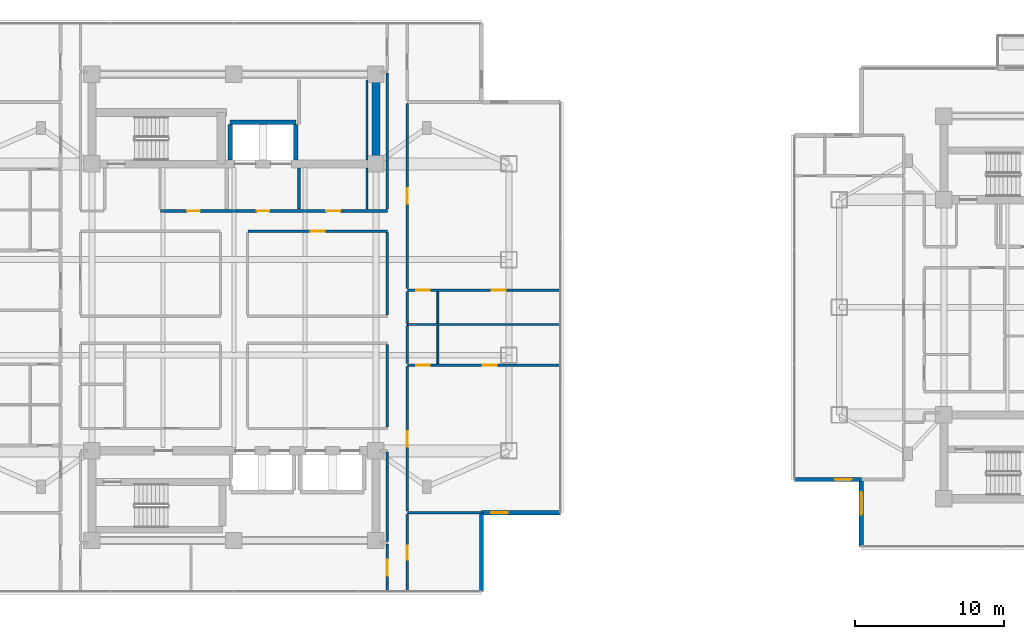
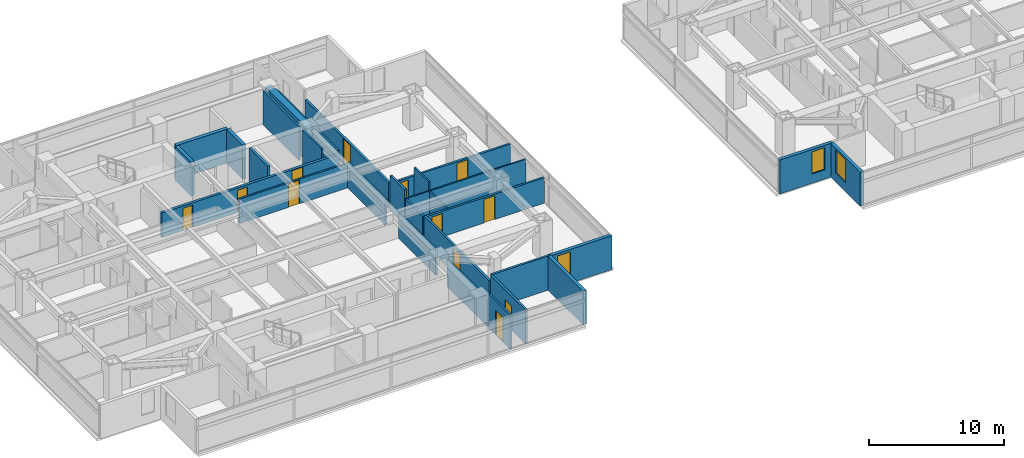
# One storey, part 15 of 24: 29 walls, 12 doors, 3 windows, 15 openings.
"""IFC4 building model written with IfcOpenShell, lengths in metres."""

from ifc_helpers import new_model, si_unit, direction, frame, frame_2d, origin, place, context, subcontext, project, spatial, rectangle, extrude, material, layer, layer_set, type_object, element, fill, save


model = new_model("IFC4")

# Units and contexts
model_context = context("Model", 3, precision=1e-05, world=origin(), true_north=direction((0.0, 1.0)))
body_context = subcontext(model_context, "Body", "Model", "MODEL_VIEW")
ifc_project = project(units=[si_unit("LENGTHUNIT", "METRE"), si_unit("AREAUNIT", "SQUARE_METRE"), si_unit("VOLUMEUNIT", "CUBIC_METRE"), si_unit("PLANEANGLEUNIT", "RADIAN"), si_unit("MASSUNIT", "GRAM", prefix="KILO")], contexts=[model_context])

# Site, building, storey
site_placement = place(None, origin())
site = spatial("IfcSite", under=ifc_project, at=site_placement, CompositionType="ELEMENT")
building_placement = place(site_placement, origin())
building = spatial("IfcBuilding", under=site, at=building_placement, Name="Mirazonda Arch Towers", CompositionType="ELEMENT")
storey_placement = place(building_placement, frame((0.0, 0.0, 141.199951171875)))
storey = spatial("IfcBuildingStorey", under=building, at=storey_placement, Name="L40", CompositionType="ELEMENT", Elevation=141.199951171875)

# Wall
ifc_material_1 = material(Name="Concrete C50/60", Category="concrete")
ifc_layer_1 = layer(ifc_material_1, 0.550048828125, Name="WALL-CORE-550")
ifc_layer_set_1 = layer_set([ifc_layer_1], Name="Concrete C50/60")
wall_type_1 = type_object("IfcWallType", Name="WALL-CORE-550", PredefinedType="SHEAR", material=ifc_layer_set_1)
wall_1_placement = place(storey_placement, frame((30.0, 37.60009765625, 0.0), z_axis=(0.0, 0.0, 1.0), x_axis=(0.0, 1.0, 0.0)))
element("IfcWall", 1, at=wall_1_placement, inside=storey, type_object=wall_type_1, Name="L40 T1N-E Core Shear Wall", PredefinedType="SHEAR", context=body_context, shape_type="SweptSolid", body=[
    extrude(rectangle(XDim=6.0, YDim=0.550048828125, at=frame_2d((3.0, 0.0))), origin(), (0.0, 0.0, 1.0), 3.080078125),
])

# Wall, opening, window
ifc_material_2 = material(Name="Precast Concrete C40/50", Category="concrete")
ifc_layer_2 = layer(ifc_material_2, 0.280029296875, Name="WALL-EXT-WALL-280")
ifc_layer_set_2 = layer_set([ifc_layer_2], Name="Precast Concrete C40/50")
wall_type_2 = type_object("IfcWallType", Name="WALL-EXT-WALL-280", PredefinedType="SOLIDWALL", material=ifc_layer_set_2)
wall_2_placement = place(storey_placement, frame((37.070068359375, 14.263916015625, 0.0), z_axis=(0.0, 0.0, 1.0), x_axis=(1.0, 0.0, 0.0)))
wall_2 = element("IfcWall", 2, at=wall_2_placement, inside=storey, type_object=wall_type_2, Name="L40 T1 Corner Notch Return Wall WL-L40-T1-CSE1", PredefinedType="SOLIDWALL", context=body_context, shape_type="SweptSolid", body=[
    extrude(rectangle(XDim=5.27001953125, YDim=0.280029296875, at=frame_2d((2.635009765625, 0.0))), origin(), (0.0, 0.0, 1.0), 3.06005859375),
])
opening_1_placement = place(wall_2_placement, frame((0.64990234375, 0.0, 0.85009765625)))
opening_1 = element("IfcOpeningElement", 3, at=opening_1_placement, cuts=wall_2, Name="Opening WN-108", PredefinedType="OPENING", context=body_context, shape_type="SweptSolid", body=[
    extrude(rectangle(XDim=1.10009765625, YDim=2.0, at=frame_2d((0.550048828125, 1.0))), frame((0.0, 0.14990234375, 0.0), z_axis=(0.0, -1.0, 0.0), x_axis=(1.0, 0.0, 0.0)), (0.0, 0.0, 1.0), 0.300048828125),
])
ifc_material_3 = material(Name="Insulated Low-E Solar Glass", Category="glass")
window_type_1 = type_object("IfcWindowType", Name="WIN-NOTCH-1100x2000", PartitioningType="SINGLE_PANEL", PredefinedType="WINDOW", material=ifc_material_3)
window_1_placement = place(opening_1_placement, origin())
window_1 = element("IfcWindow", 4, at=window_1_placement, inside=storey, type_object=window_type_1, Name="L40 Punched Facade Window WN-L40-T1-CSE1", OverallHeight=2.0, OverallWidth=1.10009765625, PartitioningType="SINGLE_PANEL", PredefinedType="WINDOW", context=body_context, shape_type="SweptSolid", body=[
    extrude(rectangle(XDim=1.10009765625, YDim=2.0, at=frame_2d((0.550048828125, 1.0))), frame((0.0, 0.030029296875, 0.0), z_axis=(0.0, -1.0, 0.0), x_axis=(1.0, 0.0, 0.0)), (0.0, 0.0, 1.0), 0.06005859375),
])
fill(opening_1, window_1)

# Wall
wall_3_placement = place(storey_placement, frame((37.070068359375, 8.993896484375, 0.0), z_axis=(0.0, 0.0, 1.0), x_axis=(0.0, 1.0, 0.0)))
element("IfcWall", 5, at=wall_3_placement, inside=storey, type_object=wall_type_2, Name="L40 T1 Corner Notch Return Wall WL-L40-T1-CSE2", PredefinedType="SOLIDWALL", context=body_context, shape_type="SweptSolid", body=[
    extrude(rectangle(XDim=5.27001953125, YDim=0.280029296875, at=frame_2d((2.635009765625, 0.0))), origin(), (0.0, 0.0, 1.0), 3.06005859375),
])

# Wall, opening, window
wall_4_placement = place(storey_placement, frame((62.4755859375, 16.484375, 0.0), z_axis=(0.0, 0.0, 1.0), x_axis=(0.0, -1.0, 0.0)))
wall_4 = element("IfcWall", 6, at=wall_4_placement, inside=storey, type_object=wall_type_2, Name="L40 T2 Notched SW Corner Wall WL-L40-T2-CSW", PredefinedType="SOLIDWALL", context=body_context, shape_type="SweptSolid", body=[
    extrude(rectangle(XDim=4.486572265625, YDim=0.280029296875, at=frame_2d((2.2431640625, 0.0))), origin(), (0.0, 0.0, 1.0), 3.06005859375),
])
opening_2_placement = place(wall_4_placement, frame((0.85009765625, 0.0, 0.81005859375)))
opening_2 = element("IfcOpeningElement", 7, at=opening_2_placement, cuts=wall_4, Name="Opening WN-120", PredefinedType="OPENING", context=body_context, shape_type="SweptSolid", body=[
    extrude(rectangle(XDim=1.5, YDim=2.10009765625, at=frame_2d((0.75, 1.050048828125))), frame((0.0, 0.14990234375, 0.0), z_axis=(0.0, -1.0, 0.0), x_axis=(1.0, 0.0, 0.0)), (0.0, 0.0, 1.0), 0.300048828125),
])
window_type_2 = type_object("IfcWindowType", Name="WIN-HTL-1500x2100", PartitioningType="SINGLE_PANEL", PredefinedType="WINDOW", material=ifc_material_3)
window_2_placement = place(opening_2_placement, origin())
window_2 = element("IfcWindow", 8, at=window_2_placement, inside=storey, type_object=window_type_2, Name="L40 Punched Facade Window WN-L40-T2-CSW", OverallHeight=2.10009765625, OverallWidth=1.5, PartitioningType="SINGLE_PANEL", PredefinedType="WINDOW", context=body_context, shape_type="SweptSolid", body=[
    extrude(rectangle(XDim=1.5, YDim=2.10009765625, at=frame_2d((0.75, 1.050048828125))), frame((0.0, 0.030029296875, 0.0), z_axis=(0.0, -1.0, 0.0), x_axis=(1.0, 0.0, 0.0)), (0.0, 0.0, 1.0), 0.06005859375),
])
fill(opening_2, window_2)

wall_5_placement = place(storey_placement, frame((57.989013671875, 16.484375, 0.0), z_axis=(0.0, 0.0, 1.0), x_axis=(1.0, 0.0, 0.0)))
wall_5 = element("IfcWall", 9, at=wall_5_placement, inside=storey, type_object=wall_type_2, Name="L40 T2 Corner Notch Return Wall WL-L40-T2-CSW2", PredefinedType="SOLIDWALL", context=body_context, shape_type="SweptSolid", body=[
    extrude(rectangle(XDim=4.486572265625, YDim=0.280029296875, at=frame_2d((2.2431640625, 0.0))), origin(), (0.0, 0.0, 1.0), 3.06005859375),
])
opening_3_placement = place(wall_5_placement, frame((2.736083984375, 0.0, 0.85009765625)))
opening_3 = element("IfcOpeningElement", 10, at=opening_3_placement, cuts=wall_5, Name="Opening WN-108", PredefinedType="OPENING", context=body_context, shape_type="SweptSolid", body=[
    extrude(rectangle(XDim=1.10009765625, YDim=2.0, at=frame_2d((0.550048828125, 1.0))), frame((0.0, 0.14990234375, 0.0), z_axis=(0.0, -1.0, 0.0), x_axis=(1.0, 0.0, 0.0)), (0.0, 0.0, 1.0), 0.300048828125),
])
window_3_placement = place(opening_3_placement, origin())
window_3 = element("IfcWindow", 11, at=window_3_placement, inside=storey, type_object=window_type_1, Name="L40 Punched Facade Window WN-L40-T2-CSW2", OverallHeight=2.0, OverallWidth=1.10009765625, PartitioningType="SINGLE_PANEL", PredefinedType="WINDOW", context=body_context, shape_type="SweptSolid", body=[
    extrude(rectangle(XDim=1.10009765625, YDim=2.0, at=frame_2d((0.550048828125, 1.0))), frame((0.0, 0.030029296875, 0.0), z_axis=(0.0, -1.0, 0.0), x_axis=(1.0, 0.0, 0.0)), (0.0, 0.0, 1.0), 0.06005859375),
])
fill(opening_3, window_3)

# Wall, openings, doors
ifc_material_4 = material(Name="Concrete C40/50", Category="concrete")
ifc_layer_3 = layer(ifc_material_4, 0.219970703125, Name="WALL-FFL-220")
ifc_layer_set_3 = layer_set([ifc_layer_3], Name="Concrete C40/50")
wall_type_3 = type_object("IfcWallType", Name="WALL-FFL-220", PredefinedType="SOLIDWALL", material=ifc_layer_set_3)
wall_6_placement = place(storey_placement, frame((15.590087890625, 34.449951171875, 0.0), z_axis=(0.0, 0.0, 1.0), x_axis=(1.0, 0.0, 0.0)))
wall_6 = element("IfcWall", 12, at=wall_6_placement, inside=storey, type_object=wall_type_3, Name="L40 Interior Partition 049", PredefinedType="SOLIDWALL", context=body_context, shape_type="SweptSolid", body=[
    extrude(rectangle(XDim=15.169921875, YDim=0.219970703125, at=frame_2d((7.5849609375, 0.0))), origin(), (0.0, 0.0, 1.0), 2.216064453125),
])
opening_4_placement = place(wall_6_placement, frame((6.43505859375, 0.0, 0.0)))
opening_4 = element("IfcOpeningElement", 13, at=opening_4_placement, cuts=wall_6, Name="Opening DR-128", PredefinedType="OPENING", context=body_context, shape_type="SweptSolid", body=[
    extrude(rectangle(XDim=0.85009765625, YDim=2.010009765625, at=frame_2d((0.425048828125, 1.0048828125))), frame((0.0, 0.119873046875, 0.0), z_axis=(0.0, -1.0, 0.0), x_axis=(1.0, 0.0, 0.0)), (0.0, 0.0, 1.0), 0.239990234375),
])
opening_5_placement = place(wall_6_placement, frame((11.0849609375, 0.0, 0.0)))
opening_5 = element("IfcOpeningElement", 14, at=opening_5_placement, cuts=wall_6, Name="Opening DR-104", PredefinedType="OPENING", context=body_context, shape_type="SweptSolid", body=[
    extrude(rectangle(XDim=0.949951171875, YDim=2.14990234375, at=frame_2d((0.47509765625, 1.074951171875))), frame((0.0, 0.119873046875, 0.0), z_axis=(0.0, -1.0, 0.0), x_axis=(1.0, 0.0, 0.0)), (0.0, 0.0, 1.0), 0.239990234375),
])
opening_6_placement = place(wall_6_placement, frame((1.77490234375, 0.0, 0.0)))
opening_6 = element("IfcOpeningElement", 15, at=opening_6_placement, cuts=wall_6, Name="Opening DR-128", PredefinedType="OPENING", context=body_context, shape_type="SweptSolid", body=[
    extrude(rectangle(XDim=0.85009765625, YDim=2.010009765625, at=frame_2d((0.425048828125, 1.0048828125))), frame((0.0, 0.119873046875, 0.0), z_axis=(0.0, -1.0, 0.0), x_axis=(1.0, 0.0, 0.0)), (0.0, 0.0, 1.0), 0.239990234375),
])
ifc_material_5 = material(Name="Architectural Brushed Steel S355", Category="steel")
door_type_1 = type_object("IfcDoorType", Name="DOOR-RISER-FD60-850", OperationType="NOTDEFINED", PredefinedType="DOOR", material=ifc_material_5)
door_1_placement = place(opening_4_placement, origin())
door_1 = element("IfcDoor", 16, at=door_1_placement, inside=storey, type_object=door_type_1, Name="L40 Firefighting Lift Lobby Door", OperationType="SINGLE_SWING_RIGHT", OverallHeight=2.010009765625, OverallWidth=0.85009765625, PredefinedType="DOOR", context=body_context, shape_type="SweptSolid", body=[
    extrude(rectangle(XDim=0.85009765625, YDim=2.010009765625, at=frame_2d((0.425048828125, 1.0048828125))), frame((0.0, 0.02490234375, 0.0), z_axis=(0.0, -1.0, 0.0), x_axis=(1.0, 0.0, 0.0)), (0.0, 0.0, 1.0), 0.050048828125),
])
fill(opening_4, door_1)
door_2_placement = place(opening_6_placement, origin())
door_2 = element("IfcDoor", 17, at=door_2_placement, inside=storey, type_object=door_type_1, Name="L40 Housekeeping Linen Room Door", OperationType="SINGLE_SWING_RIGHT", OverallHeight=2.010009765625, OverallWidth=0.85009765625, PredefinedType="DOOR", context=body_context, shape_type="SweptSolid", body=[
    extrude(rectangle(XDim=0.85009765625, YDim=2.010009765625, at=frame_2d((0.425048828125, 1.0048828125))), frame((0.0, 0.02490234375, 0.0), z_axis=(0.0, -1.0, 0.0), x_axis=(1.0, 0.0, 0.0)), (0.0, 0.0, 1.0), 0.050048828125),
])
fill(opening_6, door_2)
door_type_2 = type_object("IfcDoorType", Name="DOOR-ROOM-950", OperationType="NOTDEFINED", PredefinedType="DOOR", material=ifc_material_5)
door_3_placement = place(opening_5_placement, origin())
door_3 = element("IfcDoor", 18, at=door_3_placement, inside=storey, type_object=door_type_2, Name="L40 Executive Reading Library Door", OperationType="SINGLE_SWING_LEFT", OverallHeight=2.14990234375, OverallWidth=0.949951171875, PredefinedType="DOOR", context=body_context, shape_type="SweptSolid", body=[
    extrude(rectangle(XDim=0.949951171875, YDim=2.14990234375, at=frame_2d((0.47509765625, 1.074951171875))), frame((0.0, 0.02490234375, 0.0), z_axis=(0.0, -1.0, 0.0), x_axis=(1.0, 0.0, 0.0)), (0.0, 0.0, 1.0), 0.050048828125),
])
fill(opening_5, door_3)

# Wall
wall_7_placement = place(storey_placement, frame((24.85009765625, 34.570068359375, 0.0), z_axis=(0.0, 0.0, 1.0), x_axis=(0.0, 1.0, 0.0)))
element("IfcWall", 19, at=wall_7_placement, inside=storey, type_object=wall_type_3, Name="L40 Interior Partition 101", PredefinedType="SOLIDWALL", context=body_context, shape_type="SweptSolid", body=[
    extrude(rectangle(XDim=2.760009765625, YDim=0.219970703125, at=frame_2d((1.3798828125, 0.0))), origin(), (0.0, 0.0, 1.0), 3.080078125),
])

# Wall, opening, door
ifc_material_6 = material(Name="Fire-Rated Gypsum Stud Partition")
ifc_layer_4 = layer(ifc_material_6, 0.14990234375, Name="WALL-PART-CORR-150")
ifc_layer_set_4 = layer_set([ifc_layer_4], Name="Fire-Rated Gypsum Stud Partition")
wall_type_4 = type_object("IfcWallType", Name="WALL-PART-CORR-150", PredefinedType="PARTITIONING", material=ifc_layer_set_4)
wall_8_placement = place(storey_placement, frame((21.43994140625, 33.10009765625, 0.0), z_axis=(0.0, 0.0, 1.0), x_axis=(1.0, 0.0, 0.0)))
wall_8 = element("IfcWall", 20, at=wall_8_placement, inside=storey, type_object=wall_type_4, Name="L40 Interior Partition 046", PredefinedType="PARTITIONING", context=body_context, shape_type="SweptSolid", body=[
    extrude(rectangle(XDim=9.320068359375, YDim=0.14990234375, at=frame_2d((4.66015625, 0.0))), origin(), (0.0, 0.0, 1.0), 2.216064453125),
])
opening_7_placement = place(wall_8_placement, frame((4.18505859375, 0.0, 0.0)))
opening_7 = element("IfcOpeningElement", 21, at=opening_7_placement, cuts=wall_8, Name="Opening DR-104", PredefinedType="OPENING", context=body_context, shape_type="SweptSolid", body=[
    extrude(rectangle(XDim=0.949951171875, YDim=2.14990234375, at=frame_2d((0.47509765625, 1.074951171875))), frame((0.0, 0.0849609375, 0.0), z_axis=(0.0, -1.0, 0.0), x_axis=(1.0, 0.0, 0.0)), (0.0, 0.0, 1.0), 0.169921875),
])
door_4_placement = place(opening_7_placement, origin())
door_4 = element("IfcDoor", 22, at=door_4_placement, inside=storey, type_object=door_type_2, Name="L40 L40 North-East Cruciform Study Door", OperationType="SINGLE_SWING_LEFT", OverallHeight=2.14990234375, OverallWidth=0.949951171875, PredefinedType="DOOR", context=body_context, shape_type="SweptSolid", body=[
    extrude(rectangle(XDim=0.949951171875, YDim=2.14990234375, at=frame_2d((0.47509765625, 1.074951171875))), frame((0.0, 0.02490234375, 0.0), z_axis=(0.0, -1.0, 0.0), x_axis=(1.0, 0.0, 0.0)), (0.0, 0.0, 1.0), 0.050048828125),
])
fill(opening_7, door_4)

# Walls
wall_9_placement = place(storey_placement, frame((29.39990234375, 34.570068359375, 0.0), z_axis=(0.0, 0.0, 1.0), x_axis=(0.0, 1.0, 0.0)))
element("IfcWall", 23, at=wall_9_placement, inside=storey, type_object=wall_type_4, Name="L40 Interior Partition 104", PredefinedType="PARTITIONING", context=body_context, shape_type="SweptSolid", body=[
    extrude(rectangle(XDim=2.760009765625, YDim=0.14990234375, at=frame_2d((1.3798828125, 0.0))), origin(), (0.0, 0.0, 1.0), 3.080078125),
])
wall_10_placement = place(storey_placement, frame((29.39990234375, 37.8701171875, 0.0), z_axis=(0.0, 0.0, 1.0), x_axis=(0.0, 1.0, 0.0)))
element("IfcWall", 24, at=wall_10_placement, inside=storey, type_object=wall_type_4, Name="L40 Interior Partition 105", PredefinedType="PARTITIONING", context=body_context, shape_type="SweptSolid", body=[
    extrude(rectangle(XDim=5.329833984375, YDim=0.14990234375, at=frame_2d((2.6650390625, 0.0))), origin(), (0.0, 0.0, 1.0), 3.080078125),
])

# Wall, opening, door
wall_11_placement = place(storey_placement, frame((30.760009765625, 8.993896484375, 0.0), z_axis=(0.0, 0.0, 1.0), x_axis=(0.0, 1.0, 0.0)))
wall_11 = element("IfcWall", 25, at=wall_11_placement, inside=storey, type_object=wall_type_4, Name="L40 Interior Partition 106", PredefinedType="PARTITIONING", context=body_context, shape_type="SweptSolid", body=[
    extrude(rectangle(XDim=3.171142578125, YDim=0.14990234375, at=frame_2d((1.58544921875, 0.0))), origin(), (0.0, 0.0, 1.0), 3.080078125),
])
opening_8_placement = place(wall_11_placement, frame((1.060546875, 0.0, 0.0)))
opening_8 = element("IfcOpeningElement", 26, at=opening_8_placement, cuts=wall_11, Name="Opening DR-121", PredefinedType="OPENING", context=body_context, shape_type="SweptSolid", body=[
    extrude(rectangle(XDim=1.050048828125, YDim=2.199951171875, at=frame_2d((0.52490234375, 1.10009765625))), frame((0.0, 0.0849609375, 0.0), z_axis=(0.0, -1.0, 0.0), x_axis=(1.0, 0.0, 0.0)), (0.0, 0.0, 1.0), 0.169921875),
])
door_type_3 = type_object("IfcDoorType", Name="DOOR-SUITE-FD60-1050", OperationType="NOTDEFINED", PredefinedType="DOOR", material=ifc_material_5)
door_5_placement = place(opening_8_placement, origin())
door_5 = element("IfcDoor", 27, at=door_5_placement, inside=storey, type_object=door_type_3, Name="L40 South Horizon Lounge Grand Door", OperationType="SINGLE_SWING_LEFT", OverallHeight=2.199951171875, OverallWidth=1.050048828125, PredefinedType="DOOR", context=body_context, shape_type="SweptSolid", body=[
    extrude(rectangle(XDim=1.050048828125, YDim=2.199951171875, at=frame_2d((0.52490234375, 1.10009765625))), frame((0.0, 0.02490234375, 0.0), z_axis=(0.0, -1.0, 0.0), x_axis=(1.0, 0.0, 0.0)), (0.0, 0.0, 1.0), 0.050048828125),
])
fill(opening_8, door_5)

# Walls
wall_12_placement = place(storey_placement, frame((30.760009765625, 12.3349609375, 0.0), z_axis=(0.0, 0.0, 1.0), x_axis=(0.0, 1.0, 0.0)))
element("IfcWall", 28, at=wall_12_placement, inside=storey, type_object=wall_type_4, Name="L40 Interior Partition 107", PredefinedType="PARTITIONING", context=body_context, shape_type="SweptSolid", body=[
    extrude(rectangle(XDim=5.97998046875, YDim=0.14990234375, at=frame_2d((2.989990234375, 0.0))), origin(), (0.0, 0.0, 1.0), 2.4560546875),
])
for number, where, z_axis, x_axis, name in (
    (29, (30.760009765625, 19.985107421875, 0.0), (0.0, 0.0, 1.0), (0.0, 1.0, 0.0), "L40 Interior Partition 108"),
    (30, (30.760009765625, 27.485107421875, 0.0), (0.0, 0.0, 1.0), (0.0, 1.0, 0.0), "L40 Interior Partition 109"),
):
    element("IfcWall", number, at=place(storey_placement, frame(where, z_axis=z_axis, x_axis=x_axis)), inside=storey, type_object=wall_type_4, Name=name, PredefinedType="PARTITIONING", context=body_context, shape_type="SweptSolid", body=[
        extrude(rectangle(XDim=5.52978515625, YDim=0.14990234375, at=frame_2d((2.764892578125, 0.0))), origin(), (0.0, 0.0, 1.0), 2.299072265625),
    ])
wall_13_placement = place(storey_placement, frame((30.760009765625, 34.570068359375, 0.0), z_axis=(0.0, 0.0, 1.0), x_axis=(0.0, 1.0, 0.0)))
element("IfcWall", 31, at=wall_13_placement, inside=storey, type_object=wall_type_4, Name="L40 Interior Partition 110", PredefinedType="PARTITIONING", context=body_context, shape_type="SweptSolid", body=[
    extrude(rectangle(XDim=9.094970703125, YDim=0.14990234375, at=frame_2d((4.54736328125, 0.0))), origin(), (0.0, 0.0, 1.0), 2.4560546875),
])
ifc_material_7 = material(Name="Fire-Rated Gypsum Twin-Stud Assembly")
ifc_layer_5 = layer(ifc_material_7, 0.179931640625, Name="WALL-PART-DEMISE-180")
ifc_layer_set_5 = layer_set([ifc_layer_5], Name="Fire-Rated Gypsum Twin-Stud Assembly")
wall_type_5 = type_object("IfcWallType", Name="WALL-PART-DEMISE-180", PredefinedType="PARTITIONING", material=ifc_layer_set_5)
wall_14_placement = place(storey_placement, frame((32.10009765625, 14.263916015625, 0.0), z_axis=(0.0, 0.0, 1.0), x_axis=(1.0, 0.0, 0.0)))
element("IfcWall", 32, at=wall_14_placement, inside=storey, type_object=wall_type_5, Name="L40 Interior Partition 005", PredefinedType="PARTITIONING", context=body_context, shape_type="SweptSolid", body=[
    extrude(rectangle(XDim=4.949951171875, YDim=0.179931640625, at=frame_2d((2.47509765625, 0.0))), origin(), (0.0, 0.0, 1.0), 3.080078125),
])

# Wall, openings, doors
wall_15_placement = place(storey_placement, frame((32.10009765625, 24.1298828125, 0.0), z_axis=(0.0, 0.0, 1.0), x_axis=(1.0, 0.0, 0.0)))
wall_15 = element("IfcWall", 33, at=wall_15_placement, inside=storey, type_object=wall_type_5, Name="L40 Interior Partition 027", PredefinedType="PARTITIONING", context=body_context, shape_type="SweptSolid", body=[
    extrude(rectangle(XDim=10.239990234375, YDim=0.179931640625, at=frame_2d((5.1201171875, 0.0))), origin(), (0.0, 0.0, 1.0), 2.299072265625),
])
opening_9_placement = place(wall_15_placement, frame((5.044921875, 0.0, 0.0)))
opening_9 = element("IfcOpeningElement", 34, at=opening_9_placement, cuts=wall_15, Name="Opening DR-104", PredefinedType="OPENING", context=body_context, shape_type="SweptSolid", body=[
    extrude(rectangle(XDim=0.949951171875, YDim=2.14990234375, at=frame_2d((0.47509765625, 1.074951171875))), frame((0.0, 0.099853515625, 0.0), z_axis=(0.0, -1.0, 0.0), x_axis=(1.0, 0.0, 0.0)), (0.0, 0.0, 1.0), 0.199951171875),
])
opening_10_placement = place(wall_15_placement, frame((0.590087890625, 0.0, 0.0)))
opening_10 = element("IfcOpeningElement", 35, at=opening_10_placement, cuts=wall_15, Name="Opening DR-120", PredefinedType="OPENING", context=body_context, shape_type="SweptSolid", body=[
    extrude(rectangle(XDim=0.89990234375, YDim=2.10009765625, at=frame_2d((0.449951171875, 1.050048828125))), frame((0.0, 0.099853515625, 0.0), z_axis=(0.0, -1.0, 0.0), x_axis=(1.0, 0.0, 0.0)), (0.0, 0.0, 1.0), 0.199951171875),
])
door_6_placement = place(opening_9_placement, origin())
door_6 = element("IfcDoor", 36, at=door_6_placement, inside=storey, type_object=door_type_2, Name="L40 Suite Bedroom 1 Door", OperationType="SINGLE_SWING_LEFT", OverallHeight=2.14990234375, OverallWidth=0.949951171875, PredefinedType="DOOR", context=body_context, shape_type="SweptSolid", body=[
    extrude(rectangle(XDim=0.949951171875, YDim=2.14990234375, at=frame_2d((0.47509765625, 1.074951171875))), frame((0.0, 0.02490234375, 0.0), z_axis=(0.0, -1.0, 0.0), x_axis=(1.0, 0.0, 0.0)), (0.0, 0.0, 1.0), 0.050048828125),
])
fill(opening_9, door_6)
door_type_4 = type_object("IfcDoorType", Name="DOOR-WC-900", OperationType="NOTDEFINED", PredefinedType="DOOR", material=ifc_material_5)
door_7_placement = place(opening_10_placement, origin())
door_7 = element("IfcDoor", 37, at=door_7_placement, inside=storey, type_object=door_type_4, Name="L40 Suite En-Suite Bathroom 1 Door", OperationType="SINGLE_SWING_RIGHT", OverallHeight=2.10009765625, OverallWidth=0.89990234375, PredefinedType="DOOR", context=body_context, shape_type="SweptSolid", body=[
    extrude(rectangle(XDim=0.89990234375, YDim=2.10009765625, at=frame_2d((0.449951171875, 1.050048828125))), frame((0.0, 0.02490234375, 0.0), z_axis=(0.0, -1.0, 0.0), x_axis=(1.0, 0.0, 0.0)), (0.0, 0.0, 1.0), 0.050048828125),
])
fill(opening_10, door_7)

wall_16_placement = place(storey_placement, frame((32.10009765625, 29.14990234375, 0.0), z_axis=(0.0, 0.0, 1.0), x_axis=(1.0, 0.0, 0.0)))
wall_16 = element("IfcWall", 38, at=wall_16_placement, inside=storey, type_object=wall_type_5, Name="L40 Interior Partition 038", PredefinedType="PARTITIONING", context=body_context, shape_type="SweptSolid", body=[
    extrude(rectangle(XDim=10.239990234375, YDim=0.179931640625, at=frame_2d((5.1201171875, 0.0))), origin(), (0.0, 0.0, 1.0), 2.299072265625),
])
opening_11_placement = place(wall_16_placement, frame((5.64501953125, 0.0, 0.0)))
opening_11 = element("IfcOpeningElement", 39, at=opening_11_placement, cuts=wall_16, Name="Opening DR-104", PredefinedType="OPENING", context=body_context, shape_type="SweptSolid", body=[
    extrude(rectangle(XDim=0.949951171875, YDim=2.14990234375, at=frame_2d((0.47509765625, 1.074951171875))), frame((0.0, 0.099853515625, 0.0), z_axis=(0.0, -1.0, 0.0), x_axis=(1.0, 0.0, 0.0)), (0.0, 0.0, 1.0), 0.199951171875),
])
opening_12_placement = place(wall_16_placement, frame((0.590087890625, 0.0, 0.0)))
opening_12 = element("IfcOpeningElement", 40, at=opening_12_placement, cuts=wall_16, Name="Opening DR-120", PredefinedType="OPENING", context=body_context, shape_type="SweptSolid", body=[
    extrude(rectangle(XDim=0.89990234375, YDim=2.10009765625, at=frame_2d((0.449951171875, 1.050048828125))), frame((0.0, 0.099853515625, 0.0), z_axis=(0.0, -1.0, 0.0), x_axis=(1.0, 0.0, 0.0)), (0.0, 0.0, 1.0), 0.199951171875),
])
door_8_placement = place(opening_11_placement, origin())
door_8 = element("IfcDoor", 41, at=door_8_placement, inside=storey, type_object=door_type_2, Name="L40 Suite Bedroom 2 Door", OperationType="SINGLE_SWING_RIGHT", OverallHeight=2.14990234375, OverallWidth=0.949951171875, PredefinedType="DOOR", context=body_context, shape_type="SweptSolid", body=[
    extrude(rectangle(XDim=0.949951171875, YDim=2.14990234375, at=frame_2d((0.47509765625, 1.074951171875))), frame((0.0, 0.02490234375, 0.0), z_axis=(0.0, -1.0, 0.0), x_axis=(1.0, 0.0, 0.0)), (0.0, 0.0, 1.0), 0.050048828125),
])
fill(opening_11, door_8)
door_9_placement = place(opening_12_placement, origin())
door_9 = element("IfcDoor", 42, at=door_9_placement, inside=storey, type_object=door_type_4, Name="L40 Suite En-Suite Bathroom 2 Door", OperationType="SINGLE_SWING_LEFT", OverallHeight=2.10009765625, OverallWidth=0.89990234375, PredefinedType="DOOR", context=body_context, shape_type="SweptSolid", body=[
    extrude(rectangle(XDim=0.89990234375, YDim=2.10009765625, at=frame_2d((0.449951171875, 1.050048828125))), frame((0.0, 0.02490234375, 0.0), z_axis=(0.0, -1.0, 0.0), x_axis=(1.0, 0.0, 0.0)), (0.0, 0.0, 1.0), 0.050048828125),
])
fill(opening_12, door_9)

# Wall, opening, door
wall_17_placement = place(storey_placement, frame((32.10009765625, 8.993896484375, 0.0), z_axis=(0.0, 0.0, 1.0), x_axis=(0.0, 1.0, 0.0)))
wall_17 = element("IfcWall", 43, at=wall_17_placement, inside=storey, type_object=wall_type_5, Name="L40 Interior Partition 112", PredefinedType="PARTITIONING", context=body_context, shape_type="SweptSolid", body=[
    extrude(rectangle(XDim=5.170166015625, YDim=0.179931640625, at=frame_2d((2.5849609375, 0.0))), origin(), (0.0, 0.0, 1.0), 3.080078125),
])
opening_13_placement = place(wall_17_placement, frame((2.110107421875, 0.0, 0.0)))
opening_13 = element("IfcOpeningElement", 44, at=opening_13_placement, cuts=wall_17, Name="Opening DR-104", PredefinedType="OPENING", context=body_context, shape_type="SweptSolid", body=[
    extrude(rectangle(XDim=0.949951171875, YDim=2.14990234375, at=frame_2d((0.47509765625, 1.074951171875))), frame((0.0, 0.099853515625, 0.0), z_axis=(0.0, -1.0, 0.0), x_axis=(1.0, 0.0, 0.0)), (0.0, 0.0, 1.0), 0.199951171875),
])
door_10_placement = place(opening_13_placement, origin())
door_10 = element("IfcDoor", 45, at=door_10_placement, inside=storey, type_object=door_type_2, Name="L40 South Horizon Lounge Alcove East Door", OperationType="SINGLE_SWING_LEFT", OverallHeight=2.14990234375, OverallWidth=0.949951171875, PredefinedType="DOOR", context=body_context, shape_type="SweptSolid", body=[
    extrude(rectangle(XDim=0.949951171875, YDim=2.14990234375, at=frame_2d((0.47509765625, 1.074951171875))), frame((0.0, 0.02490234375, 0.0), z_axis=(0.0, -1.0, 0.0), x_axis=(1.0, 0.0, 0.0)), (0.0, 0.0, 1.0), 0.050048828125),
])
fill(opening_13, door_10)

wall_18_placement = place(storey_placement, frame((32.10009765625, 14.364013671875, 0.0), z_axis=(0.0, 0.0, 1.0), x_axis=(0.0, 1.0, 0.0)))
wall_18 = element("IfcWall", 46, at=wall_18_placement, inside=storey, type_object=wall_type_5, Name="L40 Interior Partition 113", PredefinedType="PARTITIONING", context=body_context, shape_type="SweptSolid", body=[
    extrude(rectangle(XDim=9.666015625, YDim=0.179931640625, at=frame_2d((4.8330078125, 0.0))), origin(), (0.0, 0.0, 1.0), 2.4560546875),
])
opening_14_placement = place(wall_18_placement, frame((4.30810546875, 0.0, 0.0)))
opening_14 = element("IfcOpeningElement", 47, at=opening_14_placement, cuts=wall_18, Name="Opening DR-121", PredefinedType="OPENING", context=body_context, shape_type="SweptSolid", body=[
    extrude(rectangle(XDim=1.050048828125, YDim=2.199951171875, at=frame_2d((0.52490234375, 1.10009765625))), frame((0.0, 0.099853515625, 0.0), z_axis=(0.0, -1.0, 0.0), x_axis=(1.0, 0.0, 0.0)), (0.0, 0.0, 1.0), 0.199951171875),
])
door_11_placement = place(opening_14_placement, origin())
door_11 = element("IfcDoor", 48, at=door_11_placement, inside=storey, type_object=door_type_3, Name="L40 Presidential Hotel Suite 1 Door", OperationType="SINGLE_SWING_RIGHT", OverallHeight=2.199951171875, OverallWidth=1.050048828125, PredefinedType="DOOR", context=body_context, shape_type="SweptSolid", body=[
    extrude(rectangle(XDim=1.050048828125, YDim=2.199951171875, at=frame_2d((0.52490234375, 1.10009765625))), frame((0.0, 0.02490234375, 0.0), z_axis=(0.0, -1.0, 0.0), x_axis=(1.0, 0.0, 0.0)), (0.0, 0.0, 1.0), 0.050048828125),
])
fill(opening_14, door_11)

# Walls
wall_19_placement = place(storey_placement, frame((32.10009765625, 24.22998046875, 0.0), z_axis=(0.0, 0.0, 1.0), x_axis=(0.0, 1.0, 0.0)))
element("IfcWall", 49, at=wall_19_placement, inside=storey, type_object=wall_type_5, Name="L40 Interior Partition 114", PredefinedType="PARTITIONING", context=body_context, shape_type="SweptSolid", body=[
    extrude(rectangle(XDim=2.547607421875, YDim=0.179931640625, at=frame_2d((1.27392578125, 0.0))), origin(), (0.0, 0.0, 1.0), 2.299072265625),
])
wall_20_placement = place(storey_placement, frame((32.10009765625, 26.922607421875, 0.0), z_axis=(0.0, 0.0, 1.0), x_axis=(0.0, 1.0, 0.0)))
element("IfcWall", 50, at=wall_20_placement, inside=storey, type_object=wall_type_5, Name="L40 Interior Partition 115", PredefinedType="PARTITIONING", context=body_context, shape_type="SweptSolid", body=[
    extrude(rectangle(XDim=2.12744140625, YDim=0.179931640625, at=frame_2d((1.063720703125, 0.0))), origin(), (0.0, 0.0, 1.0), 3.080078125),
])

# Wall, opening, door
wall_21_placement = place(storey_placement, frame((32.10009765625, 29.25, 0.0), z_axis=(0.0, 0.0, 1.0), x_axis=(0.0, 1.0, 0.0)))
wall_21 = element("IfcWall", 51, at=wall_21_placement, inside=storey, type_object=wall_type_5, Name="L40 Interior Partition 116", PredefinedType="PARTITIONING", context=body_context, shape_type="SweptSolid", body=[
    extrude(rectangle(XDim=12.385986328125, YDim=0.179931640625, at=frame_2d((6.19287109375, 0.0))), origin(), (0.0, 0.0, 1.0), 2.299072265625),
])
opening_15_placement = place(wall_21_placement, frame((5.66796875, 0.0, 0.0)))
opening_15 = element("IfcOpeningElement", 52, at=opening_15_placement, cuts=wall_21, Name="Opening DR-121", PredefinedType="OPENING", context=body_context, shape_type="SweptSolid", body=[
    extrude(rectangle(XDim=1.050048828125, YDim=2.199951171875, at=frame_2d((0.52490234375, 1.10009765625))), frame((0.0, 0.099853515625, 0.0), z_axis=(0.0, -1.0, 0.0), x_axis=(1.0, 0.0, 0.0)), (0.0, 0.0, 1.0), 0.199951171875),
])
door_12_placement = place(opening_15_placement, origin())
door_12 = element("IfcDoor", 53, at=door_12_placement, inside=storey, type_object=door_type_3, Name="L40 Presidential Hotel Suite 2 Door", OperationType="SINGLE_SWING_LEFT", OverallHeight=2.199951171875, OverallWidth=1.050048828125, PredefinedType="DOOR", context=body_context, shape_type="SweptSolid", body=[
    extrude(rectangle(XDim=1.050048828125, YDim=2.199951171875, at=frame_2d((0.52490234375, 1.10009765625))), frame((0.0, 0.02490234375, 0.0), z_axis=(0.0, -1.0, 0.0), x_axis=(1.0, 0.0, 0.0)), (0.0, 0.0, 1.0), 0.050048828125),
])
fill(opening_15, door_12)

# Walls
ifc_material_8 = material(Name="Acoustic Fire-Rated Gypsum Partition")
ifc_layer_6 = layer(ifc_material_8, 0.125, Name="WALL-PART-UNIT-125")
ifc_layer_set_6 = layer_set([ifc_layer_6], Name="Acoustic Fire-Rated Gypsum Partition")
wall_type_6 = type_object("IfcWallType", Name="WALL-PART-UNIT-125", PredefinedType="PARTITIONING", material=ifc_layer_set_6)
wall_22_placement = place(storey_placement, frame((32.10009765625, 26.85009765625, 0.0), z_axis=(0.0, 0.0, 1.0), x_axis=(1.0, 0.0, 0.0)))
element("IfcWall", 54, at=wall_22_placement, inside=storey, type_object=wall_type_6, Name="L40 Interior Partition 033", PredefinedType="PARTITIONING", context=body_context, shape_type="SweptSolid", body=[
    extrude(rectangle(XDim=10.239990234375, YDim=0.125, at=frame_2d((5.1201171875, 0.0))), origin(), (0.0, 0.0, 1.0), 2.299072265625),
])
wall_23_placement = place(storey_placement, frame((34.139892578125, 24.22998046875, 0.0), z_axis=(0.0, 0.0, 1.0), x_axis=(0.0, 1.0, 0.0)))
element("IfcWall", 55, at=wall_23_placement, inside=storey, type_object=wall_type_6, Name="L40 Interior Partition 118", PredefinedType="PARTITIONING", context=body_context, shape_type="SweptSolid", body=[
    extrude(rectangle(XDim=2.547607421875, YDim=0.125, at=frame_2d((1.27392578125, 0.0))), origin(), (0.0, 0.0, 1.0), 2.299072265625),
])
wall_24_placement = place(storey_placement, frame((34.139892578125, 26.922607421875, 0.0), z_axis=(0.0, 0.0, 1.0), x_axis=(0.0, 1.0, 0.0)))
element("IfcWall", 56, at=wall_24_placement, inside=storey, type_object=wall_type_6, Name="L40 Interior Partition 119", PredefinedType="PARTITIONING", context=body_context, shape_type="SweptSolid", body=[
    extrude(rectangle(XDim=2.12744140625, YDim=0.125, at=frame_2d((1.063720703125, 0.0))), origin(), (0.0, 0.0, 1.0), 3.080078125),
])
ifc_layer_7 = layer(ifc_material_1, 0.300048828125, Name="WALL-SHAFT-300")
ifc_layer_set_7 = layer_set([ifc_layer_7], Name="Concrete C50/60")
wall_type_7 = type_object("IfcWallType", Name="WALL-SHAFT-300", PredefinedType="SOLIDWALL", material=ifc_layer_set_7)
wall_25_placement = place(storey_placement, frame((20.25, 40.39990234375, 0.0), z_axis=(0.0, 0.0, 1.0), x_axis=(1.0, 0.0, 0.0)))
element("IfcWall", 57, at=wall_25_placement, inside=storey, type_object=wall_type_7, Name="L40 Interior Partition 058", PredefinedType="SOLIDWALL", context=body_context, shape_type="SweptSolid", body=[
    extrude(rectangle(XDim=4.39990234375, YDim=0.300048828125, at=frame_2d((2.199951171875, 0.0))), origin(), (0.0, 0.0, 1.0), 3.080078125),
])
for number, where, z_axis, x_axis, name in (
    (58, (20.25, 37.8701171875, 0.0), (0.0, 0.0, 1.0), (0.0, 1.0, 0.0), "L40 Interior Partition 095"),
    (59, (24.64990234375, 37.8701171875, 0.0), (0.0, 0.0, 1.0), (0.0, 1.0, 0.0), "L40 Interior Partition 099"),
):
    element("IfcWall", number, at=place(storey_placement, frame(where, z_axis=z_axis, x_axis=x_axis)), inside=storey, type_object=wall_type_7, Name=name, PredefinedType="SOLIDWALL", context=body_context, shape_type="SweptSolid", body=[
        extrude(rectangle(XDim=2.369873046875, YDim=0.300048828125, at=frame_2d((1.18505859375, 0.0))), origin(), (0.0, 0.0, 1.0), 3.080078125),
    ])

save(model, "model.ifc")
